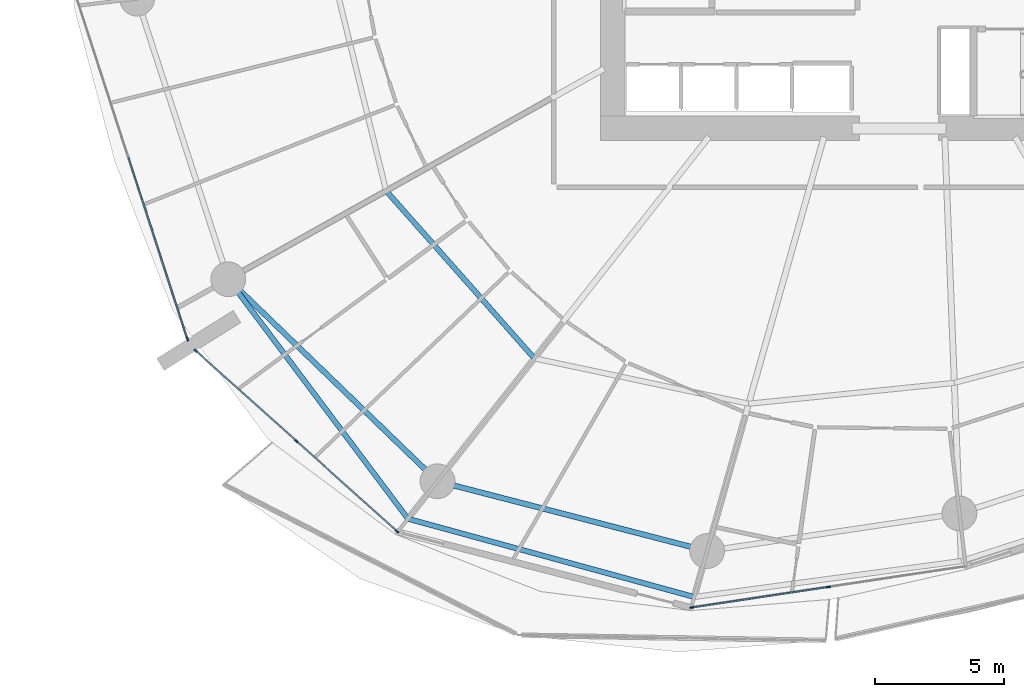
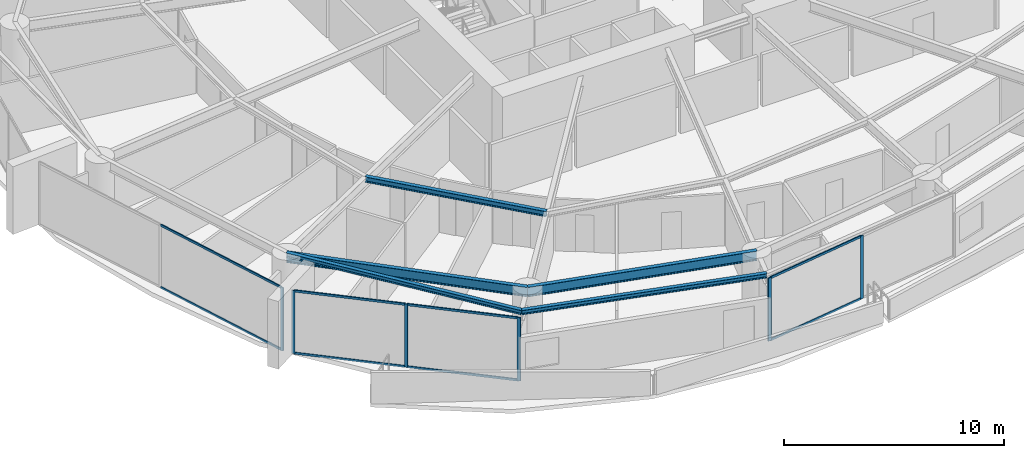
# One storey, part 6 of 31: 14 members, 5 beams, 3 elements without a shape of their own.
"""IFC4 building model written with IfcOpenShell, lengths in metres."""

from ifc_helpers import new_model, si_unit, direction, frame, origin, origin_2d, place, context, subcontext, project, spatial, rectangle, i_section, extrude, material, layer, layer_set, material_profile, profile_set, type_object, element, aggregate, save


model = new_model("IFC4")

# Units and contexts
model_context = context("Model", 3, precision=1e-05, world=origin(), true_north=direction((0.0, 1.0)))
body_context = subcontext(model_context, "Body", "Model", "MODEL_VIEW")
ifc_project = project(units=[si_unit("LENGTHUNIT", "METRE"), si_unit("AREAUNIT", "SQUARE_METRE"), si_unit("VOLUMEUNIT", "CUBIC_METRE"), si_unit("PLANEANGLEUNIT", "RADIAN"), si_unit("MASSUNIT", "GRAM", prefix="KILO")], contexts=[model_context])

# Site, building, storey
site_placement = place(None, origin())
site = spatial("IfcSite", under=ifc_project, at=site_placement, CompositionType="ELEMENT")
building_placement = place(site_placement, origin())
building = spatial("IfcBuilding", under=site, at=building_placement, Name="Kazma Halo Residences", CompositionType="ELEMENT")
storey_placement = place(building_placement, frame((0.0, 0.0, 33.89990234375)))
storey = spatial("IfcBuildingStorey", under=building, at=storey_placement, Name="L07", CompositionType="ELEMENT", Elevation=33.89990234375)

# Beams
ifc_material_1 = material(Name="Steel S355", Category="steel")
ifc_material_profile_1 = material_profile(ifc_material_1, i_section(OverallWidth=0.201904296875, OverallDepth=0.2470703125, WebThickness=0.00732421875, FlangeThickness=0.010986328125, FilletRadius=0.011962890625, at=origin_2d()), Name="W250x49.1")
ifc_profile_set_1 = profile_set([ifc_material_profile_1], Name="Steel S355")
beam_type_1 = type_object("IfcBeamType", Name="BM-BAL-CANT", PredefinedType="BEAM", material=ifc_profile_set_1)
beam_1_placement = place(storey_placement, frame((22.43505859375, 27.682861328125, 3.376708984375), z_axis=(0.600026935007, -0.799979798037, 0.0), x_axis=(0.799979798037, 0.600026935007, 0.0)))
element("IfcBeam", 1, at=beam_1_placement, inside=storey, type_object=beam_type_1, Name="L07 wave-balcony lead tie beam 09", PredefinedType="BEAM", context=body_context, shape_type="SweptSolid", body=[
    extrude(i_section(OverallWidth=0.201904296875, OverallDepth=0.2470703125, WebThickness=0.00732421875, FlangeThickness=0.010986328125, FilletRadius=0.011962890625, at=origin_2d()), origin(), (0.0, 0.0, 1.0), 11.601806640625),
])
beam_2_placement = place(storey_placement, frame((29.396484375, 18.401611328125, 3.376708984375), z_axis=(0.964628474934, -0.263613173697, 0.0), x_axis=(0.263613173697, 0.964628474934, 0.0)))
element("IfcBeam", 2, at=beam_2_placement, inside=storey, type_object=beam_type_1, Name="L07 wave-balcony tie beam 10", PredefinedType="BEAM", context=body_context, shape_type="SweptSolid", body=[
    extrude(i_section(OverallWidth=0.201904296875, OverallDepth=0.2470703125, WebThickness=0.00732421875, FlangeThickness=0.010986328125, FilletRadius=0.011962890625, at=origin_2d()), origin(), (0.0, 0.0, 1.0), 11.499755859375),
])
ifc_material_profile_2 = material_profile(ifc_material_1, i_section(OverallWidth=0.202880859375, OverallDepth=0.302978515625, WebThickness=0.007568359375, FlangeThickness=0.01318359375, FilletRadius=0.013916015625, at=origin_2d()), Name="W310x60")
ifc_profile_set_2 = profile_set([ifc_material_profile_2], Name="Steel S355")
beam_type_2 = type_object("IfcBeamType", Name="BM-SEC-W310A", PredefinedType="JOIST", material=ifc_profile_set_2)
beam_3_placement = place(storey_placement, frame((28.55224609375, 31.10888671875, 3.3486328125), z_axis=(0.662640120169, -0.748937962146, 0.0), x_axis=(0.748937962146, 0.662640120169, 0.0)))
element("IfcBeam", 3, at=beam_3_placement, inside=storey, type_object=beam_type_2, Name="L07 circumferential floor joist 09", PredefinedType="JOIST", context=body_context, shape_type="SweptSolid", body=[
    extrude(i_section(OverallWidth=0.202880859375, OverallDepth=0.302978515625, WebThickness=0.007568359375, FlangeThickness=0.01318359375, FilletRadius=0.013916015625, at=origin_2d()), origin(), (0.0, 0.0, 1.0), 8.668212890625),
])
ifc_material_profile_3 = material_profile(ifc_material_1, i_section(OverallWidth=0.208984375, OverallDepth=0.532958984375, WebThickness=0.01025390625, FlangeThickness=0.015625, FilletRadius=0.01611328125, at=origin_2d()), Name="W530x92")
ifc_profile_set_3 = profile_set([ifc_material_profile_3], Name="Steel S355")
beam_type_3 = type_object("IfcBeamType", Name="BM-SPN-W530", PredefinedType="BEAM", material=ifc_profile_set_3)
beam_4_placement = place(storey_placement, frame((22.43505859375, 27.682861328125, 3.233642578125), z_axis=(0.719336506967, -0.694661780829, 0.0), x_axis=(0.694661780829, 0.719336506967, 0.0)))
element("IfcBeam", 4, at=beam_4_placement, inside=storey, type_object=beam_type_3, Name="L07 perimeter ring beam 09", PredefinedType="BEAM", context=body_context, shape_type="SweptSolid", body=[
    extrude(i_section(OverallWidth=0.208984375, OverallDepth=0.532958984375, WebThickness=0.01025390625, FlangeThickness=0.015625, FilletRadius=0.01611328125, at=origin_2d()), origin(), (0.0, 0.0, 1.0), 11.269775390625),
])
beam_5_placement = place(storey_placement, frame((30.541748046875, 19.854248046875, 3.233642578125), z_axis=(0.968123558238, -0.250473104313, 0.0), x_axis=(0.250473104313, 0.968123558238, 0.0)))
element("IfcBeam", 5, at=beam_5_placement, inside=storey, type_object=beam_type_3, Name="L07 perimeter ring beam 10", PredefinedType="BEAM", context=body_context, shape_type="SweptSolid", body=[
    extrude(i_section(OverallWidth=0.208984375, OverallDepth=0.532958984375, WebThickness=0.01025390625, FlangeThickness=0.015625, FilletRadius=0.01611328125, at=origin_2d()), origin(), (0.0, 0.0, 1.0), 10.7939453125),
])

# Curtain wall, member
ifc_material_2 = material(Name="Aluminium AW-6063 T6 and Triple-Silver Low-E Glass", Category="aluminium")
ifc_layer = layer(ifc_material_2, 0.159912109375)
ifc_layer_set = layer_set([ifc_layer], Name="Aluminium AW-6063 T6 and Triple-Silver Low-E Glass")
curtain_wall_type = type_object("IfcCurtainWallType", Name="CW-SYS-2", PredefinedType="NOTDEFINED", material=ifc_layer_set)
curtain_wall_1_placement = place(storey_placement, origin())
curtain_wall_1 = element("IfcCurtainWall", 6, at=curtain_wall_1_placement, inside=storey, type_object=curtain_wall_type, Name="L07 unitised curtain wall B08", PredefinedType="NOTDEFINED")
ifc_material_3 = material(Name="Aluminium AW-6063 T6", Category="aluminium")
ifc_material_profile_4 = material_profile(ifc_material_3, rectangle(XDim=0.06005859375, YDim=0.159912109375, at=origin_2d()), Name="CWM-60x160")
ifc_profile_set_4 = profile_set([ifc_material_profile_4], Name="Aluminium AW-6063 T6")
member_type_1 = type_object("IfcMemberType", Name="CW-SYS-2-MUL", PredefinedType="MULLION", material=ifc_profile_set_4)
member_1_placement = place(storey_placement, frame((20.854248046875, 25.36669921875, 0.0), z_axis=(0.0, 0.0, 1.0), x_axis=(0.95105652404, 0.309016970539, 0.0)))
member_1 = element("IfcMember", 7, at=member_1_placement, type_object=member_type_1, Name="CWS-2 mullion 3", PredefinedType="MULLION", context=body_context, shape_type="SweptSolid", body=[
    extrude(rectangle(XDim=0.06005859375, YDim=0.159912109375, at=origin_2d()), origin(), (0.0, 0.0, 1.0), 3.5),
])

# Curtain wall, members
curtain_wall_2_placement = place(storey_placement, origin())
curtain_wall_2 = element("IfcCurtainWall", 8, at=curtain_wall_2_placement, inside=storey, type_object=curtain_wall_type, Name="L07 unitised curtain wall B09", PredefinedType="NOTDEFINED")
member_2_placement = place(storey_placement, frame((21.17333984375, 24.908203125, 0.0), z_axis=(0.0, 0.0, 1.0), x_axis=(0.667821453854, 0.744321506993, 0.0)))
member_2 = element("IfcMember", 9, at=member_2_placement, type_object=member_type_1, Name="CWS-2 mullion 1", PredefinedType="MULLION", context=body_context, shape_type="SweptSolid", body=[
    extrude(rectangle(XDim=0.06005859375, YDim=0.159912109375, at=origin_2d()), origin(), (0.0, 0.0, 1.0), 3.5),
])
member_3_placement = place(storey_placement, frame((25.07275390625, 21.409912109375, 0.0), z_axis=(0.0, 0.0, 1.0), x_axis=(0.667821453854, 0.744321506993, 0.0)))
member_3 = element("IfcMember", 10, at=member_3_placement, type_object=member_type_1, Name="CWS-2 mullion 2", PredefinedType="MULLION", context=body_context, shape_type="SweptSolid", body=[
    extrude(rectangle(XDim=0.06005859375, YDim=0.159912109375, at=origin_2d()), origin(), (0.0, 0.0, 1.0), 3.5),
])
member_4_placement = place(storey_placement, frame((28.971923828125, 17.911376953125, 0.0), z_axis=(0.0, 0.0, 1.0), x_axis=(0.667821453854, 0.744321506993, 0.0)))
member_4 = element("IfcMember", 11, at=member_4_placement, type_object=member_type_1, Name="CWS-2 mullion 3", PredefinedType="MULLION", context=body_context, shape_type="SweptSolid", body=[
    extrude(rectangle(XDim=0.06005859375, YDim=0.159912109375, at=origin_2d()), origin(), (0.0, 0.0, 1.0), 3.5),
])

curtain_wall_3_placement = place(storey_placement, origin())
curtain_wall_3 = element("IfcCurtainWall", 12, at=curtain_wall_3_placement, inside=storey, type_object=curtain_wall_type, Name="L07 unitised curtain wall B11", PredefinedType="NOTDEFINED")
member_5_placement = place(storey_placement, frame((40.403076171875, 14.962158203125, 0.0), z_axis=(0.0, 0.0, 1.0), x_axis=(-0.148657272805, 0.988888777994, 0.0)))
member_5 = element("IfcMember", 13, at=member_5_placement, type_object=member_type_1, Name="CWS-2 mullion 1", PredefinedType="MULLION", context=body_context, shape_type="SweptSolid", body=[
    extrude(rectangle(XDim=0.06005859375, YDim=0.159912109375, at=origin_2d()), origin(), (0.0, 0.0, 1.0), 3.5),
])
member_6_placement = place(storey_placement, frame((45.6923828125, 15.75732421875, 0.0), z_axis=(0.0, 0.0, 1.0), x_axis=(-0.148657272805, 0.988888777994, 0.0)))
member_6 = element("IfcMember", 14, at=member_6_placement, type_object=member_type_1, Name="CWS-2 mullion 2", PredefinedType="MULLION", context=body_context, shape_type="SweptSolid", body=[
    extrude(rectangle(XDim=0.06005859375, YDim=0.159912109375, at=origin_2d()), origin(), (0.0, 0.0, 1.0), 3.5),
])

# Member
ifc_material_profile_5 = material_profile(ifc_material_3, rectangle(XDim=0.06005859375, YDim=0.1201171875, at=origin_2d()), Name="CWT-60x120")
ifc_profile_set_5 = profile_set([ifc_material_profile_5], Name="Aluminium AW-6063 T6")
member_type_2 = type_object("IfcMemberType", Name="CW-SYS-2-TRN", PredefinedType="USERDEFINED", material=ifc_profile_set_5)
member_7_placement = place(storey_placement, frame((18.5673828125, 32.4052734375, 0.030029296875), z_axis=(0.309004433966, -0.951060597328, 0.0), x_axis=(0.951060597328, 0.309004433966, 0.0)))
member_7 = element("IfcMember", 15, at=member_7_placement, type_object=member_type_2, Name="CWS-2 transom 2.1", ObjectType="TRANSOM", PredefinedType="USERDEFINED", context=body_context, shape_type="SweptSolid", body=[
    extrude(rectangle(XDim=0.06005859375, YDim=0.1201171875, at=origin_2d()), origin(), (0.0, 0.0, 1.0), 7.370849609375),
])

member_8_placement = place(storey_placement, frame((18.5673828125, 32.4052734375, 3.47021484375), z_axis=(0.309004433966, -0.951060597328, 0.0), x_axis=(0.951060597328, 0.309004433966, 0.0)))
member_8 = element("IfcMember", 16, at=member_8_placement, type_object=member_type_2, Name="CWS-2 transom 2.2", ObjectType="TRANSOM", PredefinedType="USERDEFINED", context=body_context, shape_type="SweptSolid", body=[
    extrude(rectangle(XDim=0.06005859375, YDim=0.1201171875, at=origin_2d()), origin(), (0.0, 0.0, 1.0), 7.370849609375),
])

aggregate(curtain_wall_1, [member_1, member_7, member_8])

member_9_placement = place(storey_placement, frame((21.19580078125, 24.88818359375, 0.030029296875), z_axis=(0.744329408538, -0.66781264707, 0.0), x_axis=(0.66781264707, 0.744329408538, 0.0)))
member_9 = element("IfcMember", 17, at=member_9_placement, type_object=member_type_2, Name="CWS-2 transom 1.1", ObjectType="TRANSOM", PredefinedType="USERDEFINED", context=body_context, shape_type="SweptSolid", body=[
    extrude(rectangle(XDim=0.06005859375, YDim=0.1201171875, at=origin_2d()), origin(), (0.0, 0.0, 1.0), 5.178466796875),
])

member_10_placement = place(storey_placement, frame((21.19580078125, 24.88818359375, 3.47021484375), z_axis=(0.744329408538, -0.66781264707, 0.0), x_axis=(0.66781264707, 0.744329408538, 0.0)))
member_10 = element("IfcMember", 18, at=member_10_placement, type_object=member_type_2, Name="CWS-2 transom 1.2", ObjectType="TRANSOM", PredefinedType="USERDEFINED", context=body_context, shape_type="SweptSolid", body=[
    extrude(rectangle(XDim=0.06005859375, YDim=0.1201171875, at=origin_2d()), origin(), (0.0, 0.0, 1.0), 5.178466796875),
])

member_11_placement = place(storey_placement, frame((25.094970703125, 21.3896484375, 0.030029296875), z_axis=(0.744329408538, -0.66781264707, 0.0), x_axis=(0.66781264707, 0.744329408538, 0.0)))
member_11 = element("IfcMember", 19, at=member_11_placement, type_object=member_type_2, Name="CWS-2 transom 2.1", ObjectType="TRANSOM", PredefinedType="USERDEFINED", context=body_context, shape_type="SweptSolid", body=[
    extrude(rectangle(XDim=0.06005859375, YDim=0.1201171875, at=origin_2d()), origin(), (0.0, 0.0, 1.0), 5.178466796875),
])

member_12_placement = place(storey_placement, frame((25.094970703125, 21.3896484375, 3.47021484375), z_axis=(0.744329408538, -0.66781264707, 0.0), x_axis=(0.66781264707, 0.744329408538, 0.0)))
member_12 = element("IfcMember", 20, at=member_12_placement, type_object=member_type_2, Name="CWS-2 transom 2.2", ObjectType="TRANSOM", PredefinedType="USERDEFINED", context=body_context, shape_type="SweptSolid", body=[
    extrude(rectangle(XDim=0.06005859375, YDim=0.1201171875, at=origin_2d()), origin(), (0.0, 0.0, 1.0), 5.178466796875),
])

aggregate(curtain_wall_2, [member_2, member_3, member_4, member_9, member_10, member_11, member_12])

member_13_placement = place(storey_placement, frame((40.4326171875, 14.966796875, 0.030029296875), z_axis=(0.988890934274, 0.148642928222, 0.0), x_axis=(-0.148642928222, 0.988890934274, 0.0)))
member_13 = element("IfcMember", 21, at=member_13_placement, type_object=member_type_2, Name="CWS-2 transom 1.1", ObjectType="TRANSOM", PredefinedType="USERDEFINED", context=body_context, shape_type="SweptSolid", body=[
    extrude(rectangle(XDim=0.06005859375, YDim=0.1201171875, at=origin_2d()), origin(), (0.0, 0.0, 1.0), 5.288818359375),
])

member_14_placement = place(storey_placement, frame((40.4326171875, 14.966796875, 3.47021484375), z_axis=(0.988890934274, 0.148642928222, 0.0), x_axis=(-0.148642928222, 0.988890934274, 0.0)))
member_14 = element("IfcMember", 22, at=member_14_placement, type_object=member_type_2, Name="CWS-2 transom 1.2", ObjectType="TRANSOM", PredefinedType="USERDEFINED", context=body_context, shape_type="SweptSolid", body=[
    extrude(rectangle(XDim=0.06005859375, YDim=0.1201171875, at=origin_2d()), origin(), (0.0, 0.0, 1.0), 5.288818359375),
])

aggregate(curtain_wall_3, [member_5, member_6, member_13, member_14])

save(model, "model.ifc")
